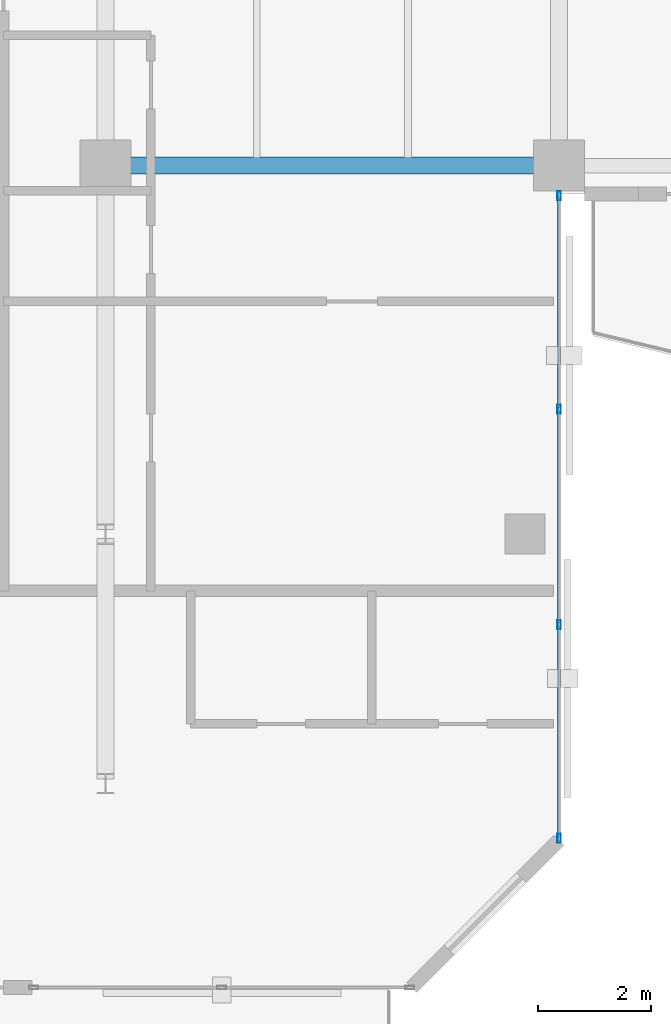
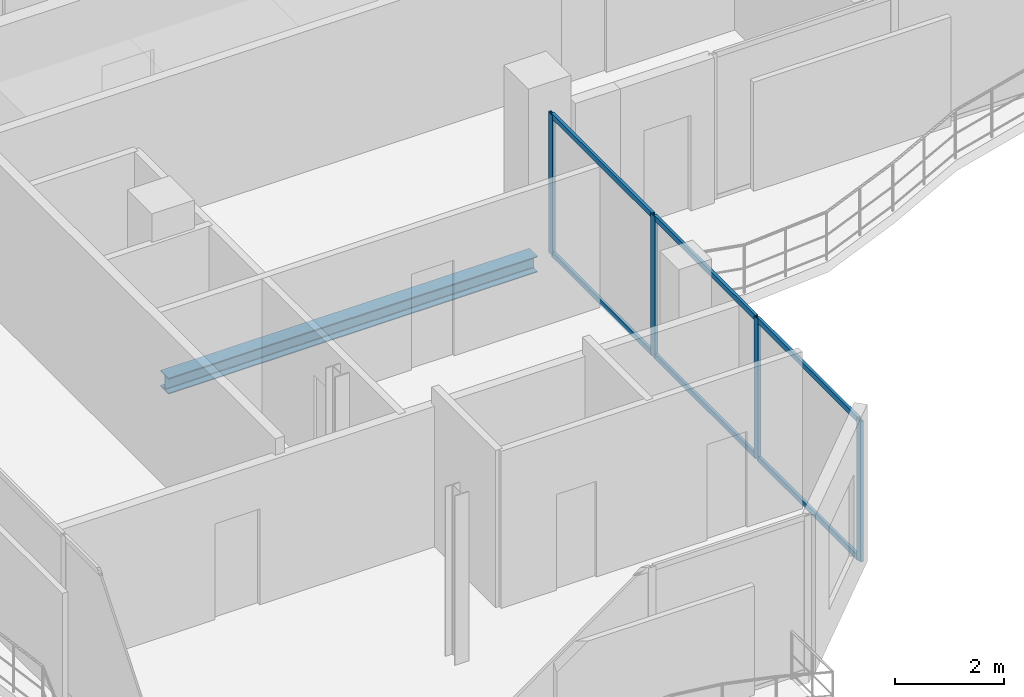
# One storey, part 4 of 17: 10 members, 1 beam, 1 element without a shape of its own.
"""IFC4 building model written with IfcOpenShell, lengths in metres."""

from ifc_helpers import new_model, si_unit, direction, frame, origin, origin_2d, place, context, subcontext, project, spatial, hollow_rectangle, i_section, extrude, material, layer, layer_set, material_profile, profile_set, type_object, element, aggregate, save


model = new_model("IFC4")

# Units and contexts
model_context = context("Model", 3, precision=1e-05, world=origin(), true_north=direction((0.0, 1.0)))
body_context = subcontext(model_context, "Body", "Model", "MODEL_VIEW")
ifc_project = project(units=[si_unit("LENGTHUNIT", "METRE"), si_unit("AREAUNIT", "SQUARE_METRE"), si_unit("VOLUMEUNIT", "CUBIC_METRE"), si_unit("PLANEANGLEUNIT", "RADIAN"), si_unit("MASSUNIT", "GRAM", prefix="KILO")], contexts=[model_context])

# Site, building, storey
site_placement = place(None, origin())
site = spatial("IfcSite", under=ifc_project, at=site_placement, CompositionType="ELEMENT")
building_placement = place(site_placement, origin())
building = spatial("IfcBuilding", under=site, at=building_placement, Name="Catumbela Crestline Tower", CompositionType="ELEMENT")
storey_placement = place(building_placement, frame((0.0, 0.0, 279.2)))
storey = spatial("IfcBuildingStorey", under=building, at=storey_placement, Name="L72", CompositionType="ELEMENT", Elevation=279.2)

# Beam
ifc_material_1 = material(Name="Structural steel S355J2", Category="steel")
ifc_material_profile_1 = material_profile(ifc_material_1, i_section(OverallWidth=0.3, OverallDepth=0.36, WebThickness=0.0125, FlangeThickness=0.0225, FilletRadius=0.027, at=origin_2d()), Name="HEB 360")
ifc_profile_set_1 = profile_set([ifc_material_profile_1], Name="Structural steel S355J2")
beam_type = type_object("IfcBeamType", Name="BG-HEB360", PredefinedType="BEAM", material=ifc_profile_set_1)
beam_placement = place(storey_placement, frame((16.08, 24.5, -0.44), z_axis=(1.0, 0.0, 0.0), x_axis=(0.0, 1.0, 0.0)))
element("IfcBeam", 1, at=beam_placement, inside=storey, type_object=beam_type, Name="L72 Beam BM-L72-S01", PredefinedType="BEAM", context=body_context, shape_type="SweptSolid", body=[
    extrude(i_section(OverallWidth=0.3, OverallDepth=0.36, WebThickness=0.0125, FlangeThickness=0.0225, FilletRadius=0.027, at=origin_2d()), origin(), (0.0, 0.0, 1.0), 7.84),
])

# Curtain wall, members
ifc_material_2 = material(Name="Aluminium alloy AW-6060-T66", Category="aluminium")
ifc_layer = layer(ifc_material_2, 0.18, Name="Aluminium alloy AW-6060-T66")
ifc_layer_set = layer_set([ifc_layer], Name="Aluminium alloy AW-6060-T66")
curtain_wall_type = type_object("IfcCurtainWallType", Name="CWU-Z4", PredefinedType="USERDEFINED", material=ifc_layer_set)
curtain_wall_placement = place(storey_placement, origin())
curtain_wall = element("IfcCurtainWall", 2, at=curtain_wall_placement, inside=storey, type_object=curtain_wall_type, Name="L72 Unitised Curtain Wall CW-L72-E2S1", ObjectType="UNITISED", PredefinedType="USERDEFINED")
ifc_material_profile_2 = material_profile(ifc_material_2, hollow_rectangle(XDim=0.06, YDim=0.16, WallThickness=0.004, at=origin_2d()), Name="ALU 160x60x4")
ifc_profile_set_2 = profile_set([ifc_material_profile_2], Name="Aluminium alloy AW-6060-T66")
member_type_1 = type_object("IfcMemberType", Name="MUL-160X60", PredefinedType="MULLION", material=ifc_profile_set_2)
member_1_placement = place(storey_placement, frame((24.0, 12.6325, 0.0), z_axis=(0.0, 0.0, 1.0), x_axis=(-1.0, 0.0, 0.0)))
member_1 = element("IfcMember", 3, at=member_1_placement, type_object=member_type_1, Name="CWU-Z4 mullion 1", PredefinedType="MULLION", context=body_context, shape_type="SweptSolid", body=[
    extrude(hollow_rectangle(XDim=0.06, YDim=0.16, WallThickness=0.004, at=origin_2d()), origin(), (0.0, 0.0, 1.0), 3.16),
])
member_2_placement = place(storey_placement, frame((24.0, 16.4, 0.0), z_axis=(0.0, 0.0, 1.0), x_axis=(-1.0, 0.0, 0.0)))
member_2 = element("IfcMember", 4, at=member_2_placement, type_object=member_type_1, Name="CWU-Z4 mullion 2", PredefinedType="MULLION", context=body_context, shape_type="SweptSolid", body=[
    extrude(hollow_rectangle(XDim=0.06, YDim=0.16, WallThickness=0.004, at=origin_2d()), origin(), (0.0, 0.0, 1.0), 3.16),
])
member_3_placement = place(storey_placement, frame((24.0, 20.2, 0.0), z_axis=(0.0, 0.0, 1.0), x_axis=(-1.0, 0.0, 0.0)))
member_3 = element("IfcMember", 5, at=member_3_placement, type_object=member_type_1, Name="CWU-Z4 mullion 3", PredefinedType="MULLION", context=body_context, shape_type="SweptSolid", body=[
    extrude(hollow_rectangle(XDim=0.06, YDim=0.16, WallThickness=0.004, at=origin_2d()), origin(), (0.0, 0.0, 1.0), 3.16),
])
member_4_placement = place(storey_placement, frame((24.0, 23.9675, 0.0), z_axis=(0.0, 0.0, 1.0), x_axis=(-1.0, 0.0, 0.0)))
member_4 = element("IfcMember", 6, at=member_4_placement, type_object=member_type_1, Name="CWU-Z4 mullion 4", PredefinedType="MULLION", context=body_context, shape_type="SweptSolid", body=[
    extrude(hollow_rectangle(XDim=0.06, YDim=0.16, WallThickness=0.004, at=origin_2d()), origin(), (0.0, 0.0, 1.0), 3.16),
])
ifc_material_profile_3 = material_profile(ifc_material_2, hollow_rectangle(XDim=0.06, YDim=0.12, WallThickness=0.0035, at=origin_2d()), Name="ALU 120x60x3.5")
ifc_profile_set_3 = profile_set([ifc_material_profile_3], Name="Aluminium alloy AW-6060-T66")
member_type_2 = type_object("IfcMemberType", Name="TRN-120X60", PredefinedType="USERDEFINED", material=ifc_profile_set_3)
member_5_placement = place(storey_placement, frame((24.0, 12.665, 0.03), z_axis=(0.0, 1.0, 0.0), x_axis=(-1.0, 0.0, 0.0)))
member_5 = element("IfcMember", 7, at=member_5_placement, type_object=member_type_2, Name="CWU-Z4 transom 1.1", ObjectType="TRANSOM", PredefinedType="USERDEFINED", context=body_context, shape_type="SweptSolid", body=[
    extrude(hollow_rectangle(XDim=0.06, YDim=0.12, WallThickness=0.0035, at=origin_2d()), origin(), (0.0, 0.0, 1.0), 3.7025),
])
member_6_placement = place(storey_placement, frame((24.0, 12.665, 3.13), z_axis=(0.0, 1.0, 0.0), x_axis=(-1.0, 0.0, 0.0)))
member_6 = element("IfcMember", 8, at=member_6_placement, type_object=member_type_2, Name="CWU-Z4 transom 1.2", ObjectType="TRANSOM", PredefinedType="USERDEFINED", context=body_context, shape_type="SweptSolid", body=[
    extrude(hollow_rectangle(XDim=0.06, YDim=0.12, WallThickness=0.0035, at=origin_2d()), origin(), (0.0, 0.0, 1.0), 3.7025),
])
member_7_placement = place(storey_placement, frame((24.0, 16.4325, 0.03), z_axis=(0.0, 1.0, 0.0), x_axis=(-1.0, 0.0, 0.0)))
member_7 = element("IfcMember", 9, at=member_7_placement, type_object=member_type_2, Name="CWU-Z4 transom 2.1", ObjectType="TRANSOM", PredefinedType="USERDEFINED", context=body_context, shape_type="SweptSolid", body=[
    extrude(hollow_rectangle(XDim=0.06, YDim=0.12, WallThickness=0.0035, at=origin_2d()), origin(), (0.0, 0.0, 1.0), 3.735),
])
member_8_placement = place(storey_placement, frame((24.0, 16.4325, 3.13), z_axis=(0.0, 1.0, 0.0), x_axis=(-1.0, 0.0, 0.0)))
member_8 = element("IfcMember", 10, at=member_8_placement, type_object=member_type_2, Name="CWU-Z4 transom 2.2", ObjectType="TRANSOM", PredefinedType="USERDEFINED", context=body_context, shape_type="SweptSolid", body=[
    extrude(hollow_rectangle(XDim=0.06, YDim=0.12, WallThickness=0.0035, at=origin_2d()), origin(), (0.0, 0.0, 1.0), 3.735),
])
member_9_placement = place(storey_placement, frame((24.0, 20.2325, 0.03), z_axis=(0.0, 1.0, 0.0), x_axis=(-1.0, 0.0, 0.0)))
member_9 = element("IfcMember", 11, at=member_9_placement, type_object=member_type_2, Name="CWU-Z4 transom 3.1", ObjectType="TRANSOM", PredefinedType="USERDEFINED", context=body_context, shape_type="SweptSolid", body=[
    extrude(hollow_rectangle(XDim=0.06, YDim=0.12, WallThickness=0.0035, at=origin_2d()), origin(), (0.0, 0.0, 1.0), 3.7025),
])
member_10_placement = place(storey_placement, frame((24.0, 20.2325, 3.13), z_axis=(0.0, 1.0, 0.0), x_axis=(-1.0, 0.0, 0.0)))
member_10 = element("IfcMember", 12, at=member_10_placement, type_object=member_type_2, Name="CWU-Z4 transom 3.2", ObjectType="TRANSOM", PredefinedType="USERDEFINED", context=body_context, shape_type="SweptSolid", body=[
    extrude(hollow_rectangle(XDim=0.06, YDim=0.12, WallThickness=0.0035, at=origin_2d()), origin(), (0.0, 0.0, 1.0), 3.7025),
])
aggregate(curtain_wall, [member_1, member_2, member_3, member_4, member_5, member_6, member_7, member_8, member_9, member_10])

save(model, "model.ifc")
